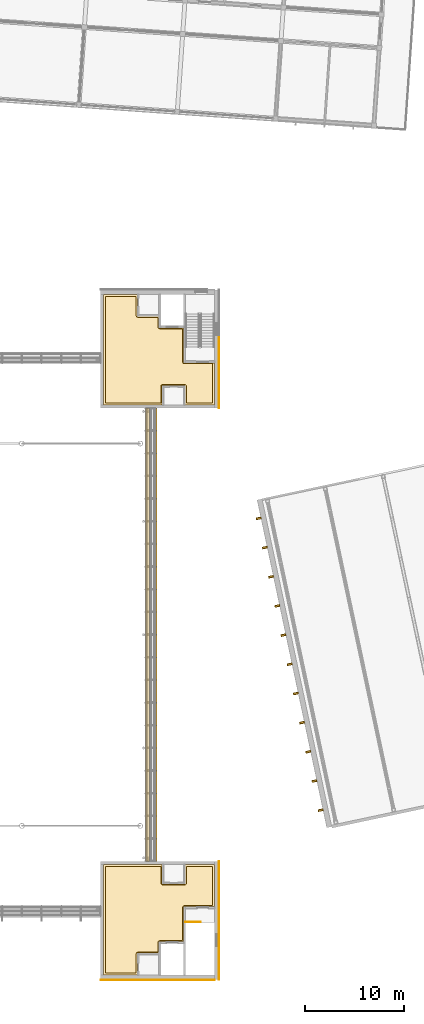
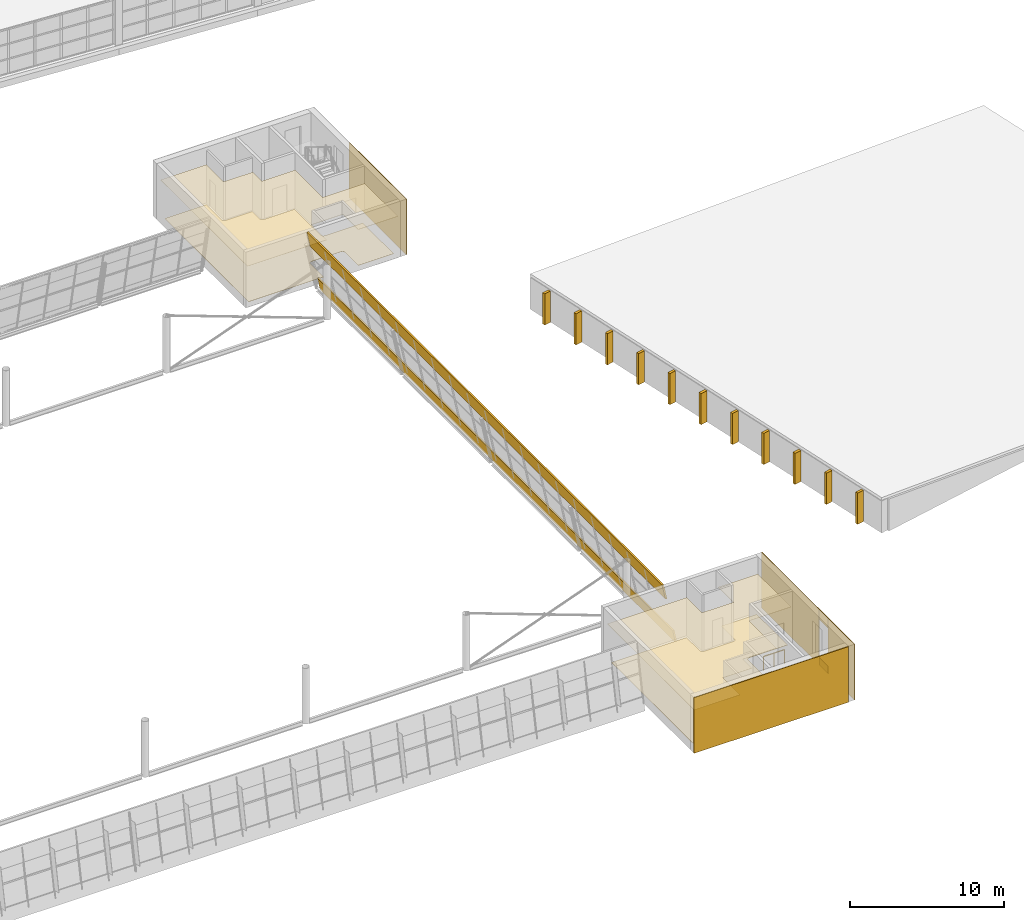
# One storey, part 46 of 50: 12 coverings, 11 shading devices, 1 railing.
"""IFC4 building model written with IfcOpenShell, lengths in metres."""

from ifc_helpers import new_model, si_unit, direction, frame, origin, origin_2d, place, context, subcontext, project, spatial, polyline, circle, outline, extrude, material, layer, layer_set, type_object, element, save


model = new_model("IFC4")

# Units and contexts
model_context = context("Model", 3, precision=1e-05, world=origin(), true_north=direction((0.0, 1.0)))
body_context = subcontext(model_context, "Body", "Model", "MODEL_VIEW")
ifc_project = project(units=[si_unit("LENGTHUNIT", "METRE"), si_unit("AREAUNIT", "SQUARE_METRE"), si_unit("VOLUMEUNIT", "CUBIC_METRE"), si_unit("PLANEANGLEUNIT", "RADIAN"), si_unit("MASSUNIT", "GRAM", prefix="KILO")], contexts=[model_context])

# Site, building, storey
site_placement = place(None, origin())
site = spatial("IfcSite", under=ifc_project, at=site_placement, CompositionType="ELEMENT")
building_placement = place(site_placement, origin())
building = spatial("IfcBuilding", under=site, at=building_placement, Name="Windward Yard Aquatics Centre", CompositionType="ELEMENT")
storey_placement = place(building_placement, frame((0.0, 0.0, 18.199951171875)))
storey = spatial("IfcBuildingStorey", under=building, at=storey_placement, Name="L04", CompositionType="ELEMENT", Elevation=18.199951171875)

# Shading devices
ifc_material_1 = material(Name="Aluminium fin, powder coated", Category="aluminium")
shading_device_type = type_object("IfcShadingDeviceType", Name="D vertical fin 200x500", PredefinedType="USERDEFINED", material=ifc_material_1)
shading_device_1_placement = place(storey_placement, origin())
element("IfcShadingDevice", 1, at=shading_device_1_placement, inside=storey, type_object=shading_device_type, Name="Vertical fin D.W.W.L04.1.1", ObjectType="FIN", PredefinedType="USERDEFINED", context=body_context, shape_type="SweptSolid", body=[
    extrude(outline(polyline([(162.05224609375, 43.23779296875), (162.093994140625, 43.042236328125), (162.5830078125, 43.146240234375), (162.54150390625, 43.341796875), (162.05224609375, 43.23779296875)])), origin(), (0.0, 0.0, 1.0), 2.462646484375),
])
shading_device_2_placement = place(storey_placement, origin())
element("IfcShadingDevice", 2, at=shading_device_2_placement, inside=storey, type_object=shading_device_type, Name="Vertical fin D.W.W.L04.1.2", ObjectType="FIN", PredefinedType="USERDEFINED", context=body_context, shape_type="SweptSolid", body=[
    extrude(outline(polyline([(161.4228515625, 46.198974609375), (161.464599609375, 46.00341796875), (161.95361328125, 46.107421875), (161.912109375, 46.302978515625), (161.4228515625, 46.198974609375)])), origin(), (0.0, 0.0, 1.0), 2.462646484375),
])
shading_device_3_placement = place(storey_placement, origin())
element("IfcShadingDevice", 3, at=shading_device_3_placement, inside=storey, type_object=shading_device_type, Name="Vertical fin D.W.W.L04.1.3", ObjectType="FIN", PredefinedType="USERDEFINED", context=body_context, shape_type="SweptSolid", body=[
    extrude(outline(polyline([(160.79345703125, 49.16015625), (160.835205078125, 48.964599609375), (161.32421875, 49.068603515625), (161.28271484375, 49.26416015625), (160.79345703125, 49.16015625)])), origin(), (0.0, 0.0, 1.0), 2.462646484375),
])
shading_device_4_placement = place(storey_placement, origin())
element("IfcShadingDevice", 4, at=shading_device_4_placement, inside=storey, type_object=shading_device_type, Name="Vertical fin D.W.W.L04.1.4", ObjectType="FIN", PredefinedType="USERDEFINED", context=body_context, shape_type="SweptSolid", body=[
    extrude(outline(polyline([(160.1640625, 52.121337890625), (160.205810546875, 51.925537109375), (160.69482421875, 52.029541015625), (160.6533203125, 52.22509765625), (160.1640625, 52.121337890625)])), origin(), (0.0, 0.0, 1.0), 2.462646484375),
])
shading_device_5_placement = place(storey_placement, origin())
element("IfcShadingDevice", 5, at=shading_device_5_placement, inside=storey, type_object=shading_device_type, Name="Vertical fin D.W.W.L04.1.5", ObjectType="FIN", PredefinedType="USERDEFINED", context=body_context, shape_type="SweptSolid", body=[
    extrude(outline(polyline([(159.53466796875, 55.08251953125), (159.576416015625, 54.88671875), (160.0654296875, 54.99072265625), (160.023681640625, 55.186279296875), (159.53466796875, 55.08251953125)])), origin(), (0.0, 0.0, 1.0), 2.462646484375),
])
shading_device_6_placement = place(storey_placement, origin())
element("IfcShadingDevice", 6, at=shading_device_6_placement, inside=storey, type_object=shading_device_type, Name="Vertical fin D.W.W.L04.1.6", ObjectType="FIN", PredefinedType="USERDEFINED", context=body_context, shape_type="SweptSolid", body=[
    extrude(outline(polyline([(158.9052734375, 58.04345703125), (158.947021484375, 57.847900390625), (159.43603515625, 57.951904296875), (159.394287109375, 58.1474609375), (158.9052734375, 58.04345703125)])), origin(), (0.0, 0.0, 1.0), 2.462646484375),
])
shading_device_7_placement = place(storey_placement, origin())
element("IfcShadingDevice", 7, at=shading_device_7_placement, inside=storey, type_object=shading_device_type, Name="Vertical fin D.W.W.L04.1.7", ObjectType="FIN", PredefinedType="USERDEFINED", context=body_context, shape_type="SweptSolid", body=[
    extrude(outline(polyline([(158.27587890625, 61.004638671875), (158.3173828125, 60.80908203125), (158.806396484375, 60.9130859375), (158.764892578125, 61.108642578125), (158.27587890625, 61.004638671875)])), origin(), (0.0, 0.0, 1.0), 2.462646484375),
])
shading_device_8_placement = place(storey_placement, origin())
element("IfcShadingDevice", 8, at=shading_device_8_placement, inside=storey, type_object=shading_device_type, Name="Vertical fin D.W.W.L04.1.8", ObjectType="FIN", PredefinedType="USERDEFINED", context=body_context, shape_type="SweptSolid", body=[
    extrude(outline(polyline([(157.646484375, 63.9658203125), (157.68798828125, 63.770263671875), (158.177001953125, 63.8740234375), (158.135498046875, 64.069580078125), (157.646484375, 63.9658203125)])), origin(), (0.0, 0.0, 1.0), 2.462646484375),
])
shading_device_9_placement = place(storey_placement, origin())
element("IfcShadingDevice", 9, at=shading_device_9_placement, inside=storey, type_object=shading_device_type, Name="Vertical fin D.W.W.L04.1.9", ObjectType="FIN", PredefinedType="USERDEFINED", context=body_context, shape_type="SweptSolid", body=[
    extrude(outline(polyline([(157.01708984375, 66.927001953125), (157.05859375, 66.731201171875), (157.547607421875, 66.835205078125), (157.506103515625, 67.031005859375), (157.01708984375, 66.927001953125)])), origin(), (0.0, 0.0, 1.0), 2.462646484375),
])
shading_device_10_placement = place(storey_placement, origin())
element("IfcShadingDevice", 10, at=shading_device_10_placement, inside=storey, type_object=shading_device_type, Name="Vertical fin D.W.W.L04.1.10", ObjectType="FIN", PredefinedType="USERDEFINED", context=body_context, shape_type="SweptSolid", body=[
    extrude(outline(polyline([(156.3876953125, 69.887939453125), (156.42919921875, 69.6923828125), (156.918212890625, 69.79638671875), (156.876708984375, 69.991943359375), (156.3876953125, 69.887939453125)])), origin(), (0.0, 0.0, 1.0), 2.462646484375),
])
shading_device_11_placement = place(storey_placement, origin())
element("IfcShadingDevice", 11, at=shading_device_11_placement, inside=storey, type_object=shading_device_type, Name="Vertical fin D.W.W.L04.1.11", ObjectType="FIN", PredefinedType="USERDEFINED", context=body_context, shape_type="SweptSolid", body=[
    extrude(outline(polyline([(155.75830078125, 72.84912109375), (155.7998046875, 72.653564453125), (156.288818359375, 72.757568359375), (156.247314453125, 72.953125), (155.75830078125, 72.84912109375)])), origin(), (0.0, 0.0, 1.0), 2.462646484375),
])

# Coverings
ifc_material_2 = material(Name="Polished screed")
ifc_layer_1 = layer(ifc_material_2, 0.0400390625)
ifc_layer_set_1 = layer_set([ifc_layer_1], Name="H Floor Finish Screed 40")
covering_type_1 = type_object("IfcCoveringType", Name="H Floor Finish Screed 40", PredefinedType="FLOORING", material=ifc_layer_set_1)
covering_1_placement = place(storey_placement, origin())
element("IfcCovering", 12, at=covering_1_placement, inside=storey, type_object=covering_type_1, Name="Core Lobby SE floor finish", PredefinedType="FLOORING", context=body_context, shape_type="SweptSolid", body=[
    extrude(outline(polyline([(140.5, 26.64990234375), (140.5, 37.5), (146.10009765625, 37.5), (146.10107421875, 35.780517578125), (146.108642578125, 35.741943359375), (146.115234375, 35.723388671875), (146.1337890625, 35.68896484375), (146.15869140625, 35.65869140625), (146.18896484375, 35.6337890625), (146.223388671875, 35.615234375), (146.260986328125, 35.603759765625), (146.300048828125, 35.60009765625), (148.5, 35.60009765625), (148.51953125, 35.60107421875), (148.55810546875, 35.608642578125), (148.59423828125, 35.62353515625), (148.626953125, 35.6455078125), (148.641357421875, 35.65869140625), (148.666259765625, 35.68896484375), (148.684814453125, 35.723388671875), (148.6962890625, 35.760986328125), (148.699951171875, 35.800048828125), (148.699951171875, 37.5), (151.35009765625, 37.5), (151.35009765625, 33.5), (148.5, 33.5), (148.48046875, 33.4990234375), (148.44189453125, 33.491455078125), (148.40576171875, 33.476318359375), (148.373046875, 33.45458984375), (148.358642578125, 33.44140625), (148.333740234375, 33.4111328125), (148.315185546875, 33.37646484375), (148.3037109375, 33.339111328125), (148.300048828125, 33.300048828125), (148.300048828125, 29.949951171875), (146.0, 29.949951171875), (145.9609375, 29.9462890625), (145.94189453125, 29.94140625), (145.923583984375, 29.934814453125), (145.888916015625, 29.916259765625), (145.858642578125, 29.891357421875), (145.845458984375, 29.876953125), (145.833740234375, 29.861083984375), (145.815185546875, 29.826416015625), (145.80859375, 29.80810546875), (145.801025390625, 29.76953125), (145.800048828125, 28.800048828125), (143.800048828125, 28.800048828125), (143.760986328125, 28.796142578125), (143.741943359375, 28.79150390625), (143.723388671875, 28.784912109375), (143.68896484375, 28.766357421875), (143.65869140625, 28.741455078125), (143.6337890625, 28.711181640625), (143.62353515625, 28.6943359375), (143.608642578125, 28.658203125), (143.60107421875, 28.61962890625), (143.60009765625, 28.60009765625), (143.60009765625, 26.64990234375), (140.5, 26.64990234375)])), origin(), (0.0, 0.0, 1.0), 0.02001953125),
])
covering_2_placement = place(storey_placement, origin())
element("IfcCovering", 13, at=covering_2_placement, inside=storey, type_object=covering_type_1, Name="Core Lobby NE floor finish", PredefinedType="FLOORING", context=body_context, shape_type="SweptSolid", body=[
    extrude(outline(polyline([(140.5, 84.5), (140.5, 95.35009765625), (143.60009765625, 95.35009765625), (143.60009765625, 93.39990234375), (143.60107421875, 93.38037109375), (143.608642578125, 93.341796875), (143.62353515625, 93.3056640625), (143.6337890625, 93.288818359375), (143.65869140625, 93.258544921875), (143.68896484375, 93.233642578125), (143.723388671875, 93.215087890625), (143.741943359375, 93.20849609375), (143.780517578125, 93.200927734375), (143.800048828125, 93.199951171875), (145.800048828125, 93.199951171875), (145.801025390625, 92.23046875), (145.80859375, 92.19189453125), (145.815185546875, 92.173583984375), (145.833740234375, 92.138916015625), (145.845458984375, 92.123046875), (145.858642578125, 92.108642578125), (145.888916015625, 92.083740234375), (145.923583984375, 92.065185546875), (145.94189453125, 92.05859375), (145.98046875, 92.051025390625), (146.0, 92.050048828125), (148.300048828125, 92.050048828125), (148.300048828125, 88.699951171875), (148.3037109375, 88.660888671875), (148.315185546875, 88.62353515625), (148.333740234375, 88.5888671875), (148.358642578125, 88.55859375), (148.373046875, 88.54541015625), (148.40576171875, 88.523681640625), (148.44189453125, 88.508544921875), (148.48046875, 88.5009765625), (148.5, 88.5), (151.35009765625, 88.5), (151.35009765625, 84.5), (148.699951171875, 84.5), (148.698974609375, 86.219482421875), (148.69140625, 86.258056640625), (148.684814453125, 86.276611328125), (148.666259765625, 86.31103515625), (148.641357421875, 86.34130859375), (148.611083984375, 86.3662109375), (148.576416015625, 86.384765625), (148.5390625, 86.396240234375), (148.5, 86.39990234375), (146.300048828125, 86.39990234375), (146.280517578125, 86.39892578125), (146.241943359375, 86.391357421875), (146.205810546875, 86.37646484375), (146.173095703125, 86.3544921875), (146.15869140625, 86.34130859375), (146.1337890625, 86.31103515625), (146.115234375, 86.276611328125), (146.103759765625, 86.239013671875), (146.10009765625, 86.199951171875), (146.10009765625, 84.5), (140.5, 84.5)])), origin(), (0.0, 0.0, 1.0), 0.02001953125),
])

# Railing
ifc_material_3 = material(Name="Stainless steel 1.4529", Category="steel")
railing_type = type_object("IfcRailingType", Name="H Guard Steel 1100", PredefinedType="GUARDRAIL", material=ifc_material_3)
railing_placement = place(storey_placement, frame((148.60009765625, 31.85009765625, 0.0)))
element("IfcRailing", 14, at=railing_placement, inside=storey, type_object=railing_type, Name="L04 ST2 top well guard 1", PredefinedType="GUARDRAIL", context=body_context, shape_type="SweptSolid", body=[
    extrude(circle(Radius=0.02392578125, at=origin_2d()), frame((0.0, 0.0, 1.076171875), z_axis=(1.0, 0.0, 0.0), x_axis=(0.0, 1.0, 0.0)), (0.0, 0.0, 1.0), 1.5498046875),
    extrude(circle(Radius=0.02099609375, at=origin_2d()), origin(), (0.0, 0.0, 1.0), 1.052001953125),
    extrude(circle(Radius=0.02099609375, at=origin_2d()), frame((0.77490234375, 0.0, 0.0)), (0.0, 0.0, 1.0), 1.052001953125),
    extrude(circle(Radius=0.02099609375, at=origin_2d()), frame((1.5498046875, 0.0, 0.0)), (0.0, 0.0, 1.0), 1.052001953125),
])

# Coverings
ifc_material_4 = material(Name="Mineral fibre tile")
ifc_layer_2 = layer(ifc_material_4, 0.02001953125)
ifc_layer_set_2 = layer_set([ifc_layer_2], Name="H Suspended Ceiling 600 x 600")
covering_type_2 = type_object("IfcCoveringType", Name="H Suspended Ceiling 600 x 600", PredefinedType="CEILING", material=ifc_layer_set_2)
covering_3_placement = place(storey_placement, frame((0.0, 0.0, 3.0)))
element("IfcCovering", 15, at=covering_3_placement, inside=storey, type_object=covering_type_2, Name="Core Lobby SE ceiling", PredefinedType="CEILING", context=body_context, shape_type="SweptSolid", body=[
    extrude(outline(polyline([(140.300537109375, 26.450439453125), (140.300537109375, 37.699462890625), (146.224609375, 37.699462890625), (146.224609375, 35.72509765625), (146.375, 35.724609375), (148.575439453125, 35.72509765625), (148.575439453125, 37.699462890625), (151.549560546875, 37.699462890625), (151.549560546875, 33.400390625), (148.3994140625, 33.39990234375), (148.3994140625, 29.8505859375), (145.8994140625, 29.85009765625), (145.8994140625, 28.675537109375), (143.724609375, 28.675048828125), (143.724609375, 26.450439453125), (140.300537109375, 26.450439453125)])), origin(), (0.0, 0.0, 1.0), 0.02001953125),
])
covering_4_placement = place(storey_placement, frame((0.0, 0.0, 3.0)))
element("IfcCovering", 16, at=covering_4_placement, inside=storey, type_object=covering_type_2, Name="Core Lobby NE ceiling", PredefinedType="CEILING", context=body_context, shape_type="SweptSolid", body=[
    extrude(outline(polyline([(140.300537109375, 84.300537109375), (140.300537109375, 95.549560546875), (143.724609375, 95.549560546875), (143.724609375, 93.324951171875), (145.8994140625, 93.324462890625), (145.8994140625, 92.14990234375), (148.3994140625, 92.1494140625), (148.3994140625, 88.60009765625), (151.549560546875, 88.599609375), (151.549560546875, 84.300537109375), (148.575439453125, 84.300537109375), (148.575439453125, 86.27490234375), (148.425048828125, 86.275390625), (146.224609375, 86.27490234375), (146.224609375, 84.300537109375), (140.300537109375, 84.300537109375)])), origin(), (0.0, 0.0, 1.0), 0.02001953125),
])
ifc_material_5 = material(Name="Natural limestone cladding", Category="masonry")
ifc_layer_3 = layer(ifc_material_5, 0.0400390625)
ifc_layer_set_3 = layer_set([ifc_layer_3], Name="H natural stone cladding 40")
covering_type_3 = type_object("IfcCoveringType", Name="H natural stone cladding 40", PredefinedType="CLADDING", material=ifc_layer_set_3)
covering_5_placement = place(storey_placement, origin())
element("IfcCovering", 17, at=covering_5_placement, inside=storey, type_object=covering_type_3, Name="Stone cladding panel 33", PredefinedType="CLADDING", context=body_context, shape_type="SweptSolid", body=[
    extrude(outline(polyline([(152.0, 84.0), (152.0400390625, 84.0), (152.0400390625, 91.39990234375), (152.0, 91.39990234375), (152.0, 84.0)])), origin(), (0.0, 0.0, 1.0), 4.400146484375),
])
covering_6_placement = place(storey_placement, origin())
element("IfcCovering", 18, at=covering_6_placement, inside=storey, type_object=covering_type_3, Name="Stone cladding panel 102", PredefinedType="CLADDING", context=body_context, shape_type="SweptSolid", body=[
    extrude(outline(polyline([(152.0, 26.0), (152.0, 29.39990234375), (152.0400390625, 29.39990234375), (152.0400390625, 26.0), (152.0, 26.0)])), origin(), (0.0, 0.0, 1.0), 4.400146484375),
])
covering_7_placement = place(storey_placement, origin())
element("IfcCovering", 19, at=covering_7_placement, inside=storey, type_object=covering_type_3, Name="Stone cladding panel 103", PredefinedType="CLADDING", context=body_context, shape_type="SweptSolid", body=[
    extrude(outline(polyline([(152.0, 29.39990234375), (152.0, 30.60009765625), (152.0400390625, 30.60009765625), (152.0400390625, 29.39990234375), (152.0, 29.39990234375)])), origin(), (0.0, 0.0, 1.0), 0.60009765625),
])
covering_8_placement = place(storey_placement, frame((0.0, 0.0, 3.60009765625)))
element("IfcCovering", 20, at=covering_8_placement, inside=storey, type_object=covering_type_3, Name="Stone cladding panel 104", PredefinedType="CLADDING", context=body_context, shape_type="SweptSolid", body=[
    extrude(outline(polyline([(152.0, 29.39990234375), (152.0, 30.60009765625), (152.0400390625, 30.60009765625), (152.0400390625, 29.39990234375), (152.0, 29.39990234375)])), origin(), (0.0, 0.0, 1.0), 0.800048828125),
])
covering_9_placement = place(storey_placement, origin())
element("IfcCovering", 21, at=covering_9_placement, inside=storey, type_object=covering_type_3, Name="Stone cladding panel 105", PredefinedType="CLADDING", context=body_context, shape_type="SweptSolid", body=[
    extrude(outline(polyline([(152.0, 30.60009765625), (152.0, 38.0), (152.0400390625, 38.0), (152.0400390625, 30.60009765625), (152.0, 30.60009765625)])), origin(), (0.0, 0.0, 1.0), 4.400146484375),
])
covering_10_placement = place(storey_placement, origin())
element("IfcCovering", 22, at=covering_10_placement, inside=storey, type_object=covering_type_3, Name="Stone cladding panel 110", PredefinedType="CLADDING", context=body_context, shape_type="SweptSolid", body=[
    extrude(outline(polyline([(140.0, 25.9599609375), (151.550048828125, 25.9599609375), (151.550048828125, 26.0), (140.0, 26.0), (140.0, 25.9599609375)])), origin(), (0.0, 0.0, 1.0), 4.400146484375),
])
ifc_layer_4 = layer(ifc_material_5, 0.125)
ifc_layer_set_4 = layer_set([ifc_layer_4], Name="H tier stone band 125")
covering_type_4 = type_object("IfcCoveringType", Name="H tier stone band 125", PredefinedType="CLADDING", material=ifc_layer_set_4)
covering_11_placement = place(storey_placement, frame((152.0, 38.0, 4.400146484375), z_axis=(0.0, 1.0, 0.0), x_axis=(-1.0, 0.0, 0.0)))
element("IfcCovering", 23, at=covering_11_placement, inside=storey, type_object=covering_type_4, Name="Tier 2 edge fascia E", PredefinedType="CLADDING", context=body_context, shape_type="SweptSolid", body=[
    extrude(outline(polyline([(7.064453125, -1.199951171875), (7.19189453125, -1.199951171875), (7.43603515625, 0.0), (7.30859375, 0.0), (7.064453125, -1.199951171875)])), origin(), (0.0, 0.0, 1.0), 46.0),
])
covering_12_placement = place(storey_placement, frame((152.0, 38.0, 4.400146484375), z_axis=(0.0, 1.0, 0.0), x_axis=(-1.0, 0.0, 0.0)))
element("IfcCovering", 24, at=covering_12_placement, inside=storey, type_object=covering_type_4, Name="Tier 2 spandrel band E", PredefinedType="CLADDING", context=body_context, shape_type="SweptSolid", body=[
    extrude(outline(polyline([(6.3115234375, -4.89990234375), (6.439208984375, -4.89990234375), (6.642578125, -3.89990234375), (6.51513671875, -3.89990234375), (6.3115234375, -4.89990234375)])), origin(), (0.0, 0.0, 1.0), 46.0),
])

save(model, "model.ifc")
